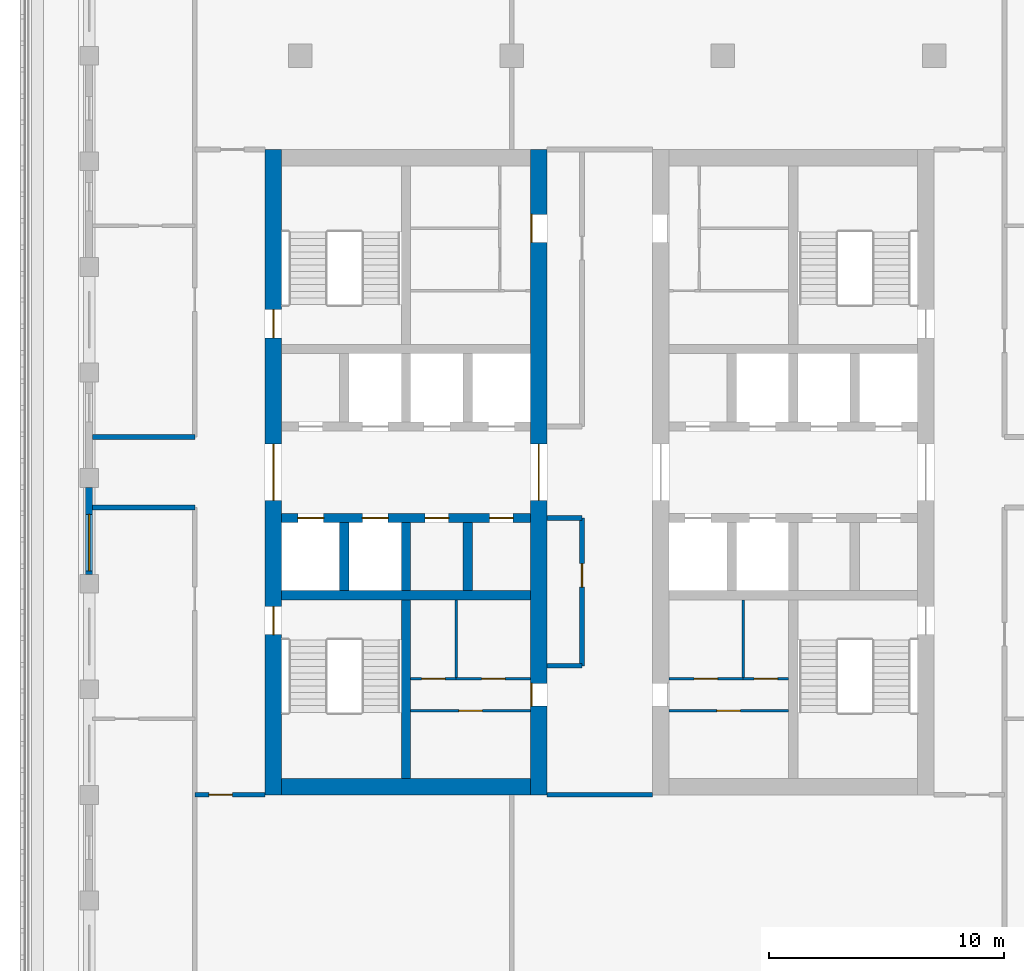
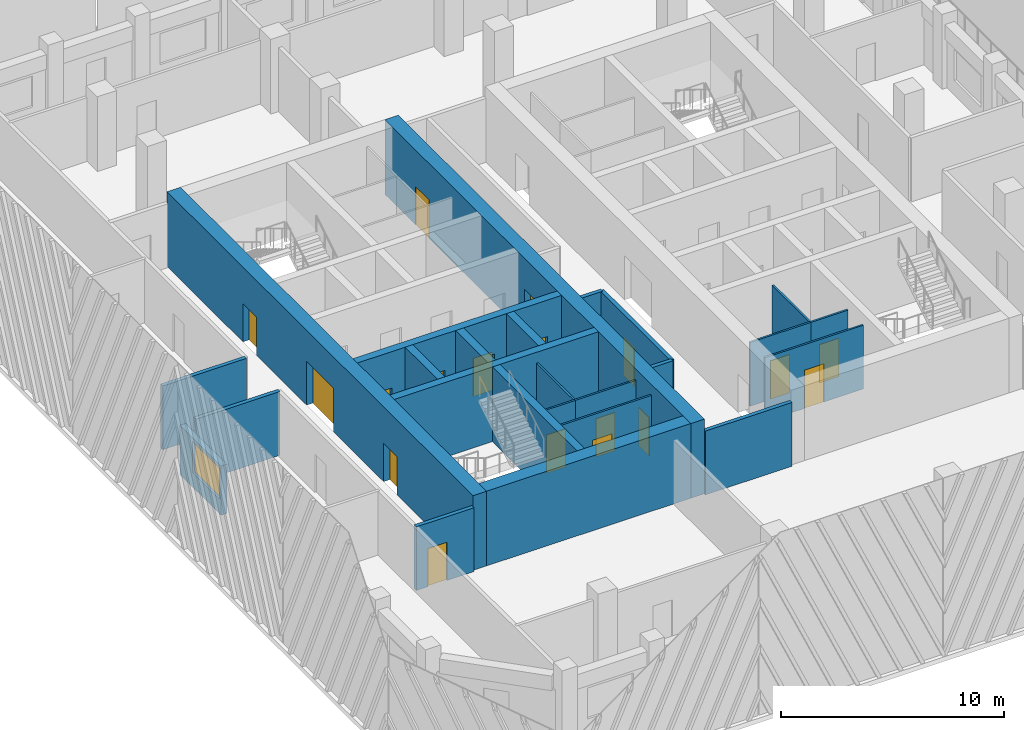
# One storey, part 3 of 17: 25 walls, 18 doors, 1 window, 19 openings.
"""IFC4 building model written with IfcOpenShell, lengths in metres."""

from ifc_helpers import new_model, si_unit, direction, frame, frame_2d, origin, place, context, subcontext, project, spatial, rectangle, extrude, material, layer, layer_set, type_object, element, fill, save


model = new_model("IFC4")

# Units and contexts
model_context = context("Model", 3, precision=1e-05, world=origin(), true_north=direction((0.0, 1.0)))
body_context = subcontext(model_context, "Body", "Model", "MODEL_VIEW")
ifc_project = project(units=[si_unit("LENGTHUNIT", "METRE"), si_unit("AREAUNIT", "SQUARE_METRE"), si_unit("VOLUMEUNIT", "CUBIC_METRE"), si_unit("PLANEANGLEUNIT", "RADIAN"), si_unit("MASSUNIT", "GRAM", prefix="KILO")], contexts=[model_context])

# Site, building, storey
site_placement = place(None, origin())
site = spatial("IfcSite", under=ifc_project, at=site_placement, CompositionType="ELEMENT")
building_placement = place(site_placement, origin())
building = spatial("IfcBuilding", under=site, at=building_placement, Name="Corbel Stack Research Tower", CompositionType="ELEMENT")
storey_placement = place(building_placement, frame((0.0, 0.0, 256.199951171875)))
storey = spatial("IfcBuildingStorey", under=building, at=storey_placement, Name="L58", CompositionType="ELEMENT", Elevation=256.199951171875)

# Wall
ifc_material_1 = material(Name="Concrete C60/75", Category="concrete")
ifc_layer_1 = layer(ifc_material_1, 0.39990234375)
ifc_layer_set_1 = layer_set([ifc_layer_1], Name="Concrete C60/75")
wall_type_1 = type_object("IfcWallType", Name="CW-400-60", PredefinedType="SHEAR", material=ifc_layer_set_1)
wall_1_placement = place(storey_placement, frame((-9.800048828125, -0.5, 0.0), z_axis=(0.0, 0.0, 1.0), x_axis=(1.0, 0.0, 0.0)))
element("IfcWall", 1, at=wall_1_placement, inside=storey, type_object=wall_type_1, Name="West core wall, south row back L58", PredefinedType="SHEAR", context=body_context, shape_type="SweptSolid", body=[
    extrude(rectangle(XDim=10.60009765625, YDim=0.39990234375, at=frame_2d((5.300048828125, 0.0))), origin(), (0.0, 0.0, 1.0), 4.10009765625),
])

# Wall, openings, doors
wall_2_placement = place(storey_placement, frame((-9.800048828125, 2.800048828125, 0.0), z_axis=(0.0, 0.0, 1.0), x_axis=(1.0, 0.0, 0.0)))
wall_2 = element("IfcWall", 2, at=wall_2_placement, inside=storey, type_object=wall_type_1, Name="West core wall, lobby south L58", PredefinedType="SHEAR", context=body_context, shape_type="SweptSolid", body=[
    extrude(rectangle(XDim=10.60009765625, YDim=0.39990234375, at=frame_2d((5.300048828125, 0.0))), origin(), (0.0, 0.0, 1.0), 4.10009765625),
])
opening_1_placement = place(wall_2_placement, frame((0.6875, 0.0, 0.0)))
opening_1 = element("IfcOpeningElement", 3, at=opening_1_placement, cuts=wall_2, Name="Opening LD-FS1", PredefinedType="OPENING", context=body_context, shape_type="SweptSolid", body=[
    extrude(rectangle(XDim=1.10009765625, YDim=2.10009765625, at=frame_2d((0.550048828125, 1.050048828125))), frame((0.0, 0.2099609375, 0.0), z_axis=(0.0, -1.0, 0.0), x_axis=(1.0, 0.0, 0.0)), (0.0, 0.0, 1.0), 0.419921875),
])
opening_2_placement = place(wall_2_placement, frame((3.4375, 0.0, 0.0)))
opening_2 = element("IfcOpeningElement", 4, at=opening_2_placement, cuts=wall_2, Name="Opening LD-GL1", PredefinedType="OPENING", context=body_context, shape_type="SweptSolid", body=[
    extrude(rectangle(XDim=1.10009765625, YDim=2.10009765625, at=frame_2d((0.550048828125, 1.050048828125))), frame((0.0, 0.2099609375, 0.0), z_axis=(0.0, -1.0, 0.0), x_axis=(1.0, 0.0, 0.0)), (0.0, 0.0, 1.0), 0.419921875),
])
opening_3_placement = place(wall_2_placement, frame((6.112548828125, 0.0, 0.0)))
opening_3 = element("IfcOpeningElement", 5, at=opening_3_placement, cuts=wall_2, Name="Opening CR-W24-S3", PredefinedType="OPENING", context=body_context, shape_type="SweptSolid", body=[
    extrude(rectangle(XDim=1.0, YDim=2.10009765625, at=frame_2d((0.5, 1.050048828125))), frame((0.0, 0.2099609375, 0.0), z_axis=(0.0, -1.0, 0.0), x_axis=(1.0, 0.0, 0.0)), (0.0, 0.0, 1.0), 0.419921875),
])
opening_4_placement = place(wall_2_placement, frame((8.862548828125, 0.0, 0.0)))
opening_4 = element("IfcOpeningElement", 6, at=opening_4_placement, cuts=wall_2, Name="Opening CR-W24-S4", PredefinedType="OPENING", context=body_context, shape_type="SweptSolid", body=[
    extrude(rectangle(XDim=1.0, YDim=2.10009765625, at=frame_2d((0.5, 1.050048828125))), frame((0.0, 0.2099609375, 0.0), z_axis=(0.0, -1.0, 0.0), x_axis=(1.0, 0.0, 0.0)), (0.0, 0.0, 1.0), 0.419921875),
])
ifc_material_2 = material(Name="Stainless steel landing door", Category="steel")
door_type_1 = type_object("IfcDoorType", Name="Lift landing door 1100 x 2100", OperationType="DOUBLE_DOOR_SLIDING", PredefinedType="DOOR", material=ifc_material_2)
door_1_placement = place(opening_1_placement, origin())
door_1 = element("IfcDoor", 7, at=door_1_placement, inside=storey, type_object=door_type_1, Name="Landing door FS1", OperationType="DOUBLE_DOOR_SLIDING", OverallHeight=2.10009765625, OverallWidth=1.10009765625, PredefinedType="DOOR", context=body_context, shape_type="SweptSolid", body=[
    extrude(rectangle(XDim=1.10009765625, YDim=2.10009765625, at=frame_2d((0.550048828125, 1.050048828125))), frame((0.0, 0.02490234375, 0.0), z_axis=(0.0, -1.0, 0.0), x_axis=(1.0, 0.0, 0.0)), (0.0, 0.0, 1.0), 0.050048828125),
])
fill(opening_1, door_1)
door_2_placement = place(opening_2_placement, origin())
door_2 = element("IfcDoor", 8, at=door_2_placement, inside=storey, type_object=door_type_1, Name="Landing door GL1", OperationType="DOUBLE_DOOR_SLIDING", OverallHeight=2.10009765625, OverallWidth=1.10009765625, PredefinedType="DOOR", context=body_context, shape_type="SweptSolid", body=[
    extrude(rectangle(XDim=1.10009765625, YDim=2.10009765625, at=frame_2d((0.550048828125, 1.050048828125))), frame((0.0, 0.02490234375, 0.0), z_axis=(0.0, -1.0, 0.0), x_axis=(1.0, 0.0, 0.0)), (0.0, 0.0, 1.0), 0.050048828125),
])
fill(opening_2, door_2)
ifc_material_3 = material(Name="Painted steel door", Category="steel")
door_type_2 = type_object("IfcDoorType", Name="Service door 1000 x 2100 FD60 left hand", OperationType="SINGLE_SWING_LEFT", PredefinedType="DOOR", material=ifc_material_3)
door_3_placement = place(opening_3_placement, origin())
door_3 = element("IfcDoor", 9, at=door_3_placement, inside=storey, type_object=door_type_2, Name="Vending bay door W core", OperationType="SINGLE_SWING_LEFT", OverallHeight=2.10009765625, OverallWidth=1.0, PredefinedType="DOOR", context=body_context, shape_type="SweptSolid", body=[
    extrude(rectangle(XDim=1.0, YDim=2.10009765625, at=frame_2d((0.5, 1.050048828125))), frame((0.0, 0.02490234375, 0.0), z_axis=(0.0, -1.0, 0.0), x_axis=(1.0, 0.0, 0.0)), (0.0, 0.0, 1.0), 0.050048828125),
])
fill(opening_3, door_3)
ifc_material_4 = material(Name="Painted steel door", Category="steel")
door_type_3 = type_object("IfcDoorType", Name="Service door 1000 x 2100 FD60 right hand", OperationType="SINGLE_SWING_RIGHT", PredefinedType="DOOR", material=ifc_material_4)
door_4_placement = place(opening_4_placement, origin())
door_4 = element("IfcDoor", 10, at=door_4_placement, inside=storey, type_object=door_type_3, Name="Mechanical room door W core", OperationType="SINGLE_SWING_RIGHT", OverallHeight=2.10009765625, OverallWidth=1.0, PredefinedType="DOOR", context=body_context, shape_type="SweptSolid", body=[
    extrude(rectangle(XDim=1.0, YDim=2.10009765625, at=frame_2d((0.5, 1.050048828125))), frame((0.0, 0.02490234375, 0.0), z_axis=(0.0, -1.0, 0.0), x_axis=(1.0, 0.0, 0.0)), (0.0, 0.0, 1.0), 0.050048828125),
])
fill(opening_4, door_4)

# Walls
for number, where, z_axis, x_axis, name in (
    (11, (-7.125, -0.300048828125, 0.0), (0.0, 0.0, 1.0), (0.0, 1.0, 0.0), "West core wall, south shaft 1 L58"),
    (12, (-4.5, -0.300048828125, 0.0), (0.0, 0.0, 1.0), (0.0, 1.0, 0.0), "West core wall, south shaft 2 L58"),
    (13, (-1.875, -0.300048828125, 0.0), (0.0, 0.0, 1.0), (0.0, 1.0, 0.0), "West core wall, south shaft 3 L58"),
):
    element("IfcWall", number, at=place(storey_placement, frame(where, z_axis=z_axis, x_axis=x_axis)), inside=storey, type_object=wall_type_1, Name=name, PredefinedType="SHEAR", context=body_context, shape_type="SweptSolid", body=[
        extrude(rectangle(XDim=2.900146484375, YDim=0.39990234375, at=frame_2d((1.4501953125, 0.0))), origin(), (0.0, 0.0, 1.0), 4.10009765625),
    ])
wall_3_placement = place(storey_placement, frame((-4.5, -8.300048828125, 0.0), z_axis=(0.0, 0.0, 1.0), x_axis=(0.0, 1.0, 0.0)))
element("IfcWall", 14, at=wall_3_placement, inside=storey, type_object=wall_type_1, Name="West core wall, south stair and WC L58", PredefinedType="SHEAR", context=body_context, shape_type="SweptSolid", body=[
    extrude(rectangle(XDim=7.60009765625, YDim=0.39990234375, at=frame_2d((3.800048828125, 0.0))), origin(), (0.0, 0.0, 1.0), 4.10009765625),
])

# Wall, openings, doors
ifc_material_5 = material(Name="Concrete C60/75", Category="concrete")
ifc_layer_2 = layer(ifc_material_5, 0.699951171875)
ifc_layer_set_2 = layer_set([ifc_layer_2], Name="Concrete C60/75")
wall_type_2 = type_object("IfcWallType", Name="CW-700-60", PredefinedType="SHEAR", material=ifc_layer_set_2)
wall_4_placement = place(storey_placement, frame((-10.14990234375, -9.0, 0.0), z_axis=(0.0, 0.0, 1.0), x_axis=(0.0, 1.0, 0.0)))
wall_4 = element("IfcWall", 15, at=wall_4_placement, inside=storey, type_object=wall_type_2, Name="West core wall, west face L58", PredefinedType="SHEAR", context=body_context, shape_type="SweptSolid", body=[
    extrude(rectangle(XDim=27.5, YDim=0.699951171875, at=frame_2d((13.75, 0.0))), origin(), (0.0, 0.0, 1.0), 4.10009765625),
])
opening_5_placement = place(wall_4_placement, frame((12.550048828125, 0.0, 0.0)))
opening_5 = element("IfcOpeningElement", 16, at=opening_5_placement, cuts=wall_4, Name="Opening CD-W-W", PredefinedType="OPENING", context=body_context, shape_type="SweptSolid", body=[
    extrude(rectangle(XDim=2.39990234375, YDim=2.39990234375, at=frame_2d((1.199951171875, 1.199951171875))), frame((0.0, 0.35986328125, 0.0), z_axis=(0.0, -1.0, 0.0), x_axis=(1.0, 0.0, 0.0)), (0.0, 0.0, 1.0), 0.719970703125),
])
opening_6_placement = place(wall_4_placement, frame((6.824951171875, 0.0, 0.0)))
opening_6 = element("IfcOpeningElement", 17, at=opening_6_placement, cuts=wall_4, Name="Opening SD-ST-W1", PredefinedType="OPENING", context=body_context, shape_type="SweptSolid", body=[
    extrude(rectangle(XDim=1.199951171875, YDim=2.10009765625, at=frame_2d((0.60009765625, 1.050048828125))), frame((0.0, 0.35986328125, 0.0), z_axis=(0.0, -1.0, 0.0), x_axis=(1.0, 0.0, 0.0)), (0.0, 0.0, 1.0), 0.719970703125),
])
opening_7_placement = place(wall_4_placement, frame((19.47509765625, 0.0, 0.0)))
opening_7 = element("IfcOpeningElement", 18, at=opening_7_placement, cuts=wall_4, Name="Opening SD-ST-W2", PredefinedType="OPENING", context=body_context, shape_type="SweptSolid", body=[
    extrude(rectangle(XDim=1.199951171875, YDim=2.10009765625, at=frame_2d((0.60009765625, 1.050048828125))), frame((0.0, 0.35986328125, 0.0), z_axis=(0.0, -1.0, 0.0), x_axis=(1.0, 0.0, 0.0)), (0.0, 0.0, 1.0), 0.719970703125),
])
ifc_material_6 = material(Name="Painted steel fire door", Category="steel")
door_type_4 = type_object("IfcDoorType", Name="Lobby door pair 2400 x 2400 FD30S", OperationType="DOUBLE_DOOR_DOUBLE_SWING", PredefinedType="DOOR", material=ifc_material_6)
door_5_placement = place(opening_5_placement, origin())
door_5 = element("IfcDoor", 19, at=door_5_placement, inside=storey, type_object=door_type_4, Name="Lift lobby door W core W", OperationType="DOUBLE_DOOR_DOUBLE_SWING", OverallHeight=2.39990234375, OverallWidth=2.39990234375, PredefinedType="DOOR", context=body_context, shape_type="SweptSolid", body=[
    extrude(rectangle(XDim=2.39990234375, YDim=2.39990234375, at=frame_2d((1.199951171875, 1.199951171875))), frame((0.0, 0.02490234375, 0.0), z_axis=(0.0, -1.0, 0.0), x_axis=(1.0, 0.0, 0.0)), (0.0, 0.0, 1.0), 0.050048828125),
])
fill(opening_5, door_5)
ifc_material_7 = material(Name="Painted steel fire door", Category="steel")
door_type_5 = type_object("IfcDoorType", Name="Stair door 1200 x 2100 FD90 left hand", OperationType="SINGLE_SWING_LEFT", PredefinedType="DOOR", material=ifc_material_7)
door_6_placement = place(opening_6_placement, origin())
door_6 = element("IfcDoor", 20, at=door_6_placement, inside=storey, type_object=door_type_5, Name="Stair door ST-W1", OperationType="SINGLE_SWING_LEFT", OverallHeight=2.10009765625, OverallWidth=1.199951171875, PredefinedType="DOOR", context=body_context, shape_type="SweptSolid", body=[
    extrude(rectangle(XDim=1.199951171875, YDim=2.10009765625, at=frame_2d((0.60009765625, 1.050048828125))), frame((0.0, 0.02490234375, 0.0), z_axis=(0.0, -1.0, 0.0), x_axis=(1.0, 0.0, 0.0)), (0.0, 0.0, 1.0), 0.050048828125),
])
fill(opening_6, door_6)
door_7_placement = place(opening_7_placement, origin())
door_7 = element("IfcDoor", 21, at=door_7_placement, inside=storey, type_object=door_type_5, Name="Stair door ST-W2", OperationType="SINGLE_SWING_LEFT", OverallHeight=2.10009765625, OverallWidth=1.199951171875, PredefinedType="DOOR", context=body_context, shape_type="SweptSolid", body=[
    extrude(rectangle(XDim=1.199951171875, YDim=2.10009765625, at=frame_2d((0.60009765625, 1.050048828125))), frame((0.0, 0.02490234375, 0.0), z_axis=(0.0, -1.0, 0.0), x_axis=(1.0, 0.0, 0.0)), (0.0, 0.0, 1.0), 0.050048828125),
])
fill(opening_7, door_7)

wall_5_placement = place(storey_placement, frame((1.14990234375, -9.0, 0.0), z_axis=(0.0, 0.0, 1.0), x_axis=(0.0, 1.0, 0.0)))
wall_5 = element("IfcWall", 22, at=wall_5_placement, inside=storey, type_object=wall_type_2, Name="West core wall, east face L58", PredefinedType="SHEAR", context=body_context, shape_type="SweptSolid", body=[
    extrude(rectangle(XDim=27.5, YDim=0.699951171875, at=frame_2d((13.75, 0.0))), origin(), (0.0, 0.0, 1.0), 4.10009765625),
])
opening_8_placement = place(wall_5_placement, frame((12.550048828125, 0.0, 0.0)))
opening_8 = element("IfcOpeningElement", 23, at=opening_8_placement, cuts=wall_5, Name="Opening CD-W-E", PredefinedType="OPENING", context=body_context, shape_type="SweptSolid", body=[
    extrude(rectangle(XDim=2.39990234375, YDim=2.39990234375, at=frame_2d((1.199951171875, 1.199951171875))), frame((0.0, 0.35986328125, 0.0), z_axis=(0.0, -1.0, 0.0), x_axis=(1.0, 0.0, 0.0)), (0.0, 0.0, 1.0), 0.719970703125),
])
opening_9_placement = place(wall_5_placement, frame((3.7880859375, 0.0, 0.0)))
opening_9 = element("IfcOpeningElement", 24, at=opening_9_placement, cuts=wall_5, Name="Opening CR-W24-W1-968", PredefinedType="OPENING", context=body_context, shape_type="SweptSolid", body=[
    extrude(rectangle(XDim=0.968017578125, YDim=2.10009765625, at=frame_2d((0.48388671875, 1.050048828125))), frame((0.0, 0.35986328125, 0.0), z_axis=(0.0, -1.0, 0.0), x_axis=(1.0, 0.0, 0.0)), (0.0, 0.0, 1.0), 0.719970703125),
])
opening_10_placement = place(wall_5_placement, frame((23.5400390625, 0.0, 0.0)))
opening_10 = element("IfcOpeningElement", 25, at=opening_10_placement, cuts=wall_5, Name="Opening CR-W24-R2-1200", PredefinedType="OPENING", context=body_context, shape_type="SweptSolid", body=[
    extrude(rectangle(XDim=1.199951171875, YDim=2.10009765625, at=frame_2d((0.60009765625, 1.050048828125))), frame((0.0, 0.35986328125, 0.0), z_axis=(0.0, -1.0, 0.0), x_axis=(1.0, 0.0, 0.0)), (0.0, 0.0, 1.0), 0.719970703125),
])
door_8_placement = place(opening_8_placement, origin())
door_8 = element("IfcDoor", 26, at=door_8_placement, inside=storey, type_object=door_type_4, Name="Lift lobby door W core E", OperationType="DOUBLE_DOOR_DOUBLE_SWING", OverallHeight=2.39990234375, OverallWidth=2.39990234375, PredefinedType="DOOR", context=body_context, shape_type="SweptSolid", body=[
    extrude(rectangle(XDim=2.39990234375, YDim=2.39990234375, at=frame_2d((1.199951171875, 1.199951171875))), frame((0.0, 0.02490234375, 0.0), z_axis=(0.0, -1.0, 0.0), x_axis=(1.0, 0.0, 0.0)), (0.0, 0.0, 1.0), 0.050048828125),
])
fill(opening_8, door_8)
ifc_material_8 = material(Name="Painted steel door", Category="steel")
door_type_6 = type_object("IfcDoorType", Name="Service door 1200 x 2100 FD30 right hand", OperationType="SINGLE_SWING_RIGHT", PredefinedType="DOOR", material=ifc_material_8)
door_9_placement = place(opening_10_placement, origin())
door_9 = element("IfcDoor", 27, at=door_9_placement, inside=storey, type_object=door_type_6, Name="Service passage door W core", OperationType="SINGLE_SWING_RIGHT", OverallHeight=2.10009765625, OverallWidth=1.199951171875, PredefinedType="DOOR", context=body_context, shape_type="SweptSolid", body=[
    extrude(rectangle(XDim=1.199951171875, YDim=2.10009765625, at=frame_2d((0.60009765625, 1.050048828125))), frame((0.0, 0.3251953125, 0.0), z_axis=(0.0, -1.0, 0.0), x_axis=(1.0, 0.0, 0.0)), (0.0, 0.0, 1.0), 0.050048828125),
])
fill(opening_10, door_9)
ifc_material_9 = material(Name="Painted timber door", Category="wood")
door_type_7 = type_object("IfcDoorType", Name="WC door 968 x 2100 left hand", OperationType="SINGLE_SWING_LEFT", PredefinedType="DOOR", material=ifc_material_9)
door_10_placement = place(opening_9_placement, origin())
door_10 = element("IfcDoor", 28, at=door_10_placement, inside=storey, type_object=door_type_7, Name="WC lobby door W core", OperationType="SINGLE_SWING_LEFT", OverallHeight=2.10009765625, OverallWidth=0.968017578125, PredefinedType="DOOR", context=body_context, shape_type="SweptSolid", body=[
    extrude(rectangle(XDim=0.968017578125, YDim=2.10009765625, at=frame_2d((0.48388671875, 1.050048828125))), frame((0.0, 0.3251953125, 0.0), z_axis=(0.0, -1.0, 0.0), x_axis=(1.0, 0.0, 0.0)), (0.0, 0.0, 1.0), 0.050048828125),
])
fill(opening_9, door_10)

# Wall
wall_6_placement = place(storey_placement, frame((-9.800048828125, -8.64990234375, 0.0), z_axis=(0.0, 0.0, 1.0), x_axis=(1.0, 0.0, 0.0)))
element("IfcWall", 29, at=wall_6_placement, inside=storey, type_object=wall_type_2, Name="West core wall, south end L58", PredefinedType="SHEAR", context=body_context, shape_type="SweptSolid", body=[
    extrude(rectangle(XDim=10.60009765625, YDim=0.699951171875, at=frame_2d((5.300048828125, 0.0))), origin(), (0.0, 0.0, 1.0), 4.10009765625),
])

# Wall, opening, door
ifc_material_10 = material(Name="Gypsum board")
ifc_layer_3 = layer(ifc_material_10, 0.10009765625)
ifc_layer_set_3 = layer_set([ifc_layer_3], Name="Gypsum board")
wall_type_3 = type_object("IfcWallType", Name="Core partition 100", PredefinedType="PARTITIONING", material=ifc_layer_set_3)
wall_7_placement = place(storey_placement, frame((-4.300048828125, -5.412109375, 0.0), z_axis=(0.0, 0.0, 1.0), x_axis=(1.0, 0.0, 0.0)))
wall_7 = element("IfcWall", 30, at=wall_7_placement, inside=storey, type_object=wall_type_3, Name="Core partition W", PredefinedType="PARTITIONING", context=body_context, shape_type="SweptSolid", body=[
    extrude(rectangle(XDim=5.10009765625, YDim=0.10009765625, at=frame_2d((2.550048828125, 0.0))), origin(), (0.0, 0.0, 1.0), 3.5),
])
opening_11_placement = place(wall_7_placement, frame((2.050048828125, 0.0, 0.0)))
opening_11 = element("IfcOpeningElement", 31, at=opening_11_placement, cuts=wall_7, Name="Opening CR-W24-W2-1000", PredefinedType="OPENING", context=body_context, shape_type="SweptSolid", body=[
    extrude(rectangle(XDim=1.0, YDim=2.10009765625, at=frame_2d((0.5, 1.050048828125))), frame((0.0, 0.06005859375, 0.0), z_axis=(0.0, -1.0, 0.0), x_axis=(1.0, 0.0, 0.0)), (0.0, 0.0, 1.0), 0.1201171875),
])
ifc_material_11 = material(Name="Painted timber door", Category="wood")
door_type_8 = type_object("IfcDoorType", Name="WC door 1000 x 2100 right hand", OperationType="SINGLE_SWING_RIGHT", PredefinedType="DOOR", material=ifc_material_11)
door_11_placement = place(opening_11_placement, origin())
door_11 = element("IfcDoor", 32, at=door_11_placement, inside=storey, type_object=door_type_8, Name="Men's WC door W core", OperationType="SINGLE_SWING_RIGHT", OverallHeight=2.10009765625, OverallWidth=1.0, PredefinedType="DOOR", context=body_context, shape_type="SweptSolid", body=[
    extrude(rectangle(XDim=1.0, YDim=2.10009765625, at=frame_2d((0.5, 1.050048828125))), frame((0.0, 0.02490234375, 0.0), z_axis=(0.0, -1.0, 0.0), x_axis=(1.0, 0.0, 0.0)), (0.0, 0.0, 1.0), 0.050048828125),
])
fill(opening_11, door_11)

wall_8_placement = place(storey_placement, frame((-2.362060546875, -4.0439453125, 0.0), z_axis=(0.0, 0.0, 1.0), x_axis=(1.0, 0.0, 0.0)))
wall_8 = element("IfcWall", 33, at=wall_8_placement, inside=storey, type_object=wall_type_3, Name="Core partition W", PredefinedType="PARTITIONING", context=body_context, shape_type="SweptSolid", body=[
    extrude(rectangle(XDim=3.162109375, YDim=0.10009765625, at=frame_2d((1.5810546875, 0.0))), origin(), (0.0, 0.0, 1.0), 3.5),
])
opening_12_placement = place(wall_8_placement, frame((1.0810546875, 0.0, 0.0)))
opening_12 = element("IfcOpeningElement", 34, at=opening_12_placement, cuts=wall_8, Name="Opening CR-W24-W3-1000", PredefinedType="OPENING", context=body_context, shape_type="SweptSolid", body=[
    extrude(rectangle(XDim=1.0, YDim=2.10009765625, at=frame_2d((0.5, 1.050048828125))), frame((0.0, 0.06005859375, 0.0), z_axis=(0.0, -1.0, 0.0), x_axis=(1.0, 0.0, 0.0)), (0.0, 0.0, 1.0), 0.1201171875),
])
ifc_material_12 = material(Name="Painted timber door", Category="wood")
door_type_9 = type_object("IfcDoorType", Name="WC door 1000 x 2100 left hand", OperationType="SINGLE_SWING_LEFT", PredefinedType="DOOR", material=ifc_material_12)
door_12_placement = place(opening_12_placement, origin())
door_12 = element("IfcDoor", 35, at=door_12_placement, inside=storey, type_object=door_type_9, Name="Women's WC door W core", OperationType="SINGLE_SWING_LEFT", OverallHeight=2.10009765625, OverallWidth=1.0, PredefinedType="DOOR", context=body_context, shape_type="SweptSolid", body=[
    extrude(rectangle(XDim=1.0, YDim=2.10009765625, at=frame_2d((0.5, 1.050048828125))), frame((0.0, 0.02490234375, 0.0), z_axis=(0.0, -1.0, 0.0), x_axis=(1.0, 0.0, 0.0)), (0.0, 0.0, 1.0), 0.050048828125),
])
fill(opening_12, door_12)

wall_9_placement = place(storey_placement, frame((-4.300048828125, -4.0439453125, 0.0), z_axis=(0.0, 0.0, 1.0), x_axis=(1.0, 0.0, 0.0)))
wall_9 = element("IfcWall", 36, at=wall_9_placement, inside=storey, type_object=wall_type_3, Name="Core partition W", PredefinedType="PARTITIONING", context=body_context, shape_type="SweptSolid", body=[
    extrude(rectangle(XDim=1.93798828125, YDim=0.10009765625, at=frame_2d((0.968994140625, 0.0))), origin(), (0.0, 0.0, 1.0), 3.5),
])
opening_13_placement = place(wall_9_placement, frame((0.468994140625, 0.0, 0.0)))
opening_13 = element("IfcOpeningElement", 37, at=opening_13_placement, cuts=wall_9, Name="Opening CR-W24-W4-1000", PredefinedType="OPENING", context=body_context, shape_type="SweptSolid", body=[
    extrude(rectangle(XDim=1.0, YDim=2.10009765625, at=frame_2d((0.5, 1.050048828125))), frame((0.0, 0.06005859375, 0.0), z_axis=(0.0, -1.0, 0.0), x_axis=(1.0, 0.0, 0.0)), (0.0, 0.0, 1.0), 0.1201171875),
])
door_13_placement = place(opening_13_placement, origin())
door_13 = element("IfcDoor", 38, at=door_13_placement, inside=storey, type_object=door_type_8, Name="Accessible WC door W core", OperationType="SINGLE_SWING_RIGHT", OverallHeight=2.10009765625, OverallWidth=1.0, PredefinedType="DOOR", context=body_context, shape_type="SweptSolid", body=[
    extrude(rectangle(XDim=1.0, YDim=2.10009765625, at=frame_2d((0.5, 1.050048828125))), frame((0.0, 0.02490234375, 0.0), z_axis=(0.0, -1.0, 0.0), x_axis=(1.0, 0.0, 0.0)), (0.0, 0.0, 1.0), 0.050048828125),
])
fill(opening_13, door_13)

# Wall
wall_10_placement = place(storey_placement, frame((-2.362060546875, -4.0439453125, 0.0), z_axis=(0.0, 0.0, 1.0), x_axis=(0.0, 1.0, 0.0)))
element("IfcWall", 39, at=wall_10_placement, inside=storey, type_object=wall_type_3, Name="Core partition W", PredefinedType="PARTITIONING", context=body_context, shape_type="SweptSolid", body=[
    extrude(rectangle(XDim=3.343994140625, YDim=0.10009765625, at=frame_2d((1.671875, 0.0))), origin(), (0.0, 0.0, 1.0), 3.5),
])

# Wall, opening, door
wall_11_placement = place(storey_placement, frame((6.699951171875, -5.412109375, 0.0), z_axis=(0.0, 0.0, 1.0), x_axis=(1.0, 0.0, 0.0)))
wall_11 = element("IfcWall", 40, at=wall_11_placement, inside=storey, type_object=wall_type_3, Name="Core partition E", PredefinedType="PARTITIONING", context=body_context, shape_type="SweptSolid", body=[
    extrude(rectangle(XDim=5.10009765625, YDim=0.10009765625, at=frame_2d((2.550048828125, 0.0))), origin(), (0.0, 0.0, 1.0), 3.5),
])
opening_14_placement = place(wall_11_placement, frame((2.050048828125, 0.0, 0.0)))
opening_14 = element("IfcOpeningElement", 41, at=opening_14_placement, cuts=wall_11, Name="Opening CR-E24-W2-1000", PredefinedType="OPENING", context=body_context, shape_type="SweptSolid", body=[
    extrude(rectangle(XDim=1.0, YDim=2.10009765625, at=frame_2d((0.5, 1.050048828125))), frame((0.0, 0.06005859375, 0.0), z_axis=(0.0, -1.0, 0.0), x_axis=(1.0, 0.0, 0.0)), (0.0, 0.0, 1.0), 0.1201171875),
])
door_14_placement = place(opening_14_placement, origin())
door_14 = element("IfcDoor", 42, at=door_14_placement, inside=storey, type_object=door_type_9, Name="Men's WC door E core", OperationType="SINGLE_SWING_LEFT", OverallHeight=2.10009765625, OverallWidth=1.0, PredefinedType="DOOR", context=body_context, shape_type="SweptSolid", body=[
    extrude(rectangle(XDim=1.0, YDim=2.10009765625, at=frame_2d((0.5, 1.050048828125))), frame((0.0, 0.02490234375, 0.0), z_axis=(0.0, -1.0, 0.0), x_axis=(1.0, 0.0, 0.0)), (0.0, 0.0, 1.0), 0.050048828125),
])
fill(opening_14, door_14)

wall_12_placement = place(storey_placement, frame((6.699951171875, -4.0439453125, 0.0), z_axis=(0.0, 0.0, 1.0), x_axis=(1.0, 0.0, 0.0)))
wall_12 = element("IfcWall", 43, at=wall_12_placement, inside=storey, type_object=wall_type_3, Name="Core partition E", PredefinedType="PARTITIONING", context=body_context, shape_type="SweptSolid", body=[
    extrude(rectangle(XDim=3.162109375, YDim=0.10009765625, at=frame_2d((1.5810546875, 0.0))), origin(), (0.0, 0.0, 1.0), 3.5),
])
opening_15_placement = place(wall_12_placement, frame((1.0810546875, 0.0, 0.0)))
opening_15 = element("IfcOpeningElement", 44, at=opening_15_placement, cuts=wall_12, Name="Opening CR-E24-W3-1000", PredefinedType="OPENING", context=body_context, shape_type="SweptSolid", body=[
    extrude(rectangle(XDim=1.0, YDim=2.10009765625, at=frame_2d((0.5, 1.050048828125))), frame((0.0, 0.06005859375, 0.0), z_axis=(0.0, -1.0, 0.0), x_axis=(1.0, 0.0, 0.0)), (0.0, 0.0, 1.0), 0.1201171875),
])
door_15_placement = place(opening_15_placement, origin())
door_15 = element("IfcDoor", 45, at=door_15_placement, inside=storey, type_object=door_type_8, Name="Women's WC door E core", OperationType="SINGLE_SWING_RIGHT", OverallHeight=2.10009765625, OverallWidth=1.0, PredefinedType="DOOR", context=body_context, shape_type="SweptSolid", body=[
    extrude(rectangle(XDim=1.0, YDim=2.10009765625, at=frame_2d((0.5, 1.050048828125))), frame((0.0, 0.02490234375, 0.0), z_axis=(0.0, -1.0, 0.0), x_axis=(1.0, 0.0, 0.0)), (0.0, 0.0, 1.0), 0.050048828125),
])
fill(opening_15, door_15)

wall_13_placement = place(storey_placement, frame((9.862060546875, -4.0439453125, 0.0), z_axis=(0.0, 0.0, 1.0), x_axis=(1.0, 0.0, 0.0)))
wall_13 = element("IfcWall", 46, at=wall_13_placement, inside=storey, type_object=wall_type_3, Name="Core partition E", PredefinedType="PARTITIONING", context=body_context, shape_type="SweptSolid", body=[
    extrude(rectangle(XDim=1.93798828125, YDim=0.10009765625, at=frame_2d((0.968994140625, 0.0))), origin(), (0.0, 0.0, 1.0), 3.5),
])
opening_16_placement = place(wall_13_placement, frame((0.468994140625, 0.0, 0.0)))
opening_16 = element("IfcOpeningElement", 47, at=opening_16_placement, cuts=wall_13, Name="Opening CR-E24-W4-1000", PredefinedType="OPENING", context=body_context, shape_type="SweptSolid", body=[
    extrude(rectangle(XDim=1.0, YDim=2.10009765625, at=frame_2d((0.5, 1.050048828125))), frame((0.0, 0.06005859375, 0.0), z_axis=(0.0, -1.0, 0.0), x_axis=(1.0, 0.0, 0.0)), (0.0, 0.0, 1.0), 0.1201171875),
])
door_16_placement = place(opening_16_placement, origin())
door_16 = element("IfcDoor", 48, at=door_16_placement, inside=storey, type_object=door_type_9, Name="Accessible WC door E core", OperationType="SINGLE_SWING_LEFT", OverallHeight=2.10009765625, OverallWidth=1.0, PredefinedType="DOOR", context=body_context, shape_type="SweptSolid", body=[
    extrude(rectangle(XDim=1.0, YDim=2.10009765625, at=frame_2d((0.5, 1.050048828125))), frame((0.0, 0.02490234375, 0.0), z_axis=(0.0, -1.0, 0.0), x_axis=(1.0, 0.0, 0.0)), (0.0, 0.0, 1.0), 0.050048828125),
])
fill(opening_16, door_16)

# Wall
wall_14_placement = place(storey_placement, frame((9.862060546875, -4.0439453125, 0.0), z_axis=(0.0, 0.0, 1.0), x_axis=(0.0, 1.0, 0.0)))
element("IfcWall", 49, at=wall_14_placement, inside=storey, type_object=wall_type_3, Name="Core partition E", PredefinedType="PARTITIONING", context=body_context, shape_type="SweptSolid", body=[
    extrude(rectangle(XDim=3.343994140625, YDim=0.10009765625, at=frame_2d((1.671875, 0.0))), origin(), (0.0, 0.0, 1.0), 3.5),
])

# Wall, opening, door
ifc_material_13 = material(Name="Fire-rated gypsum board partition on steel studs", Category="steel")
ifc_layer_4 = layer(ifc_material_13, 0.199951171875)
ifc_layer_set_4 = layer_set([ifc_layer_4], Name="Fire-rated gypsum board partition on steel studs")
wall_type_4 = type_object("IfcWallType", Name="Fire-rated partition 200 EI 60", PredefinedType="PARTITIONING", material=ifc_layer_set_4)
wall_15_placement = place(storey_placement, frame((3.0, -3.5, 0.0), z_axis=(0.0, 0.0, 1.0), x_axis=(0.0, 1.0, 0.0)))
wall_15 = element("IfcWall", 50, at=wall_15_placement, inside=storey, type_object=wall_type_4, Name="Partition L58-008", PredefinedType="PARTITIONING", context=body_context, shape_type="SweptSolid", body=[
    extrude(rectangle(XDim=6.300048828125, YDim=0.199951171875, at=frame_2d((3.14990234375, 0.0))), origin(), (0.0, 0.0, 1.0), 3.5),
])
opening_17_placement = place(wall_15_placement, frame((3.35009765625, 0.0, 0.0)))
opening_17 = element("IfcOpeningElement", 51, at=opening_17_placement, cuts=wall_15, Name="Opening B7V2-009", PredefinedType="OPENING", context=body_context, shape_type="SweptSolid", body=[
    extrude(rectangle(XDim=1.0, YDim=2.10009765625, at=frame_2d((0.5, 1.050048828125))), frame((0.0, 0.10986328125, 0.0), z_axis=(0.0, -1.0, 0.0), x_axis=(1.0, 0.0, 0.0)), (0.0, 0.0, 1.0), 0.219970703125),
])
ifc_material_14 = material(Name="Painted steel fire door", Category="steel")
door_type_10 = type_object("IfcDoorType", Name="Fire door FD30S 1000 x 2100", OperationType="NOTDEFINED", PredefinedType="DOOR", material=ifc_material_14)
door_17_placement = place(opening_17_placement, origin())
door_17 = element("IfcDoor", 52, at=door_17_placement, inside=storey, type_object=door_type_10, Name="Door B7V2-009", OperationType="SINGLE_SWING_RIGHT", OverallHeight=2.10009765625, OverallWidth=1.0, PredefinedType="DOOR", context=body_context, shape_type="SweptSolid", body=[
    extrude(rectangle(XDim=1.0, YDim=2.10009765625, at=frame_2d((0.5, 1.050048828125))), frame((0.0, 0.02490234375, 0.0), z_axis=(0.0, -1.0, 0.0), x_axis=(1.0, 0.0, 0.0)), (0.0, 0.0, 1.0), 0.050048828125),
])
fill(opening_17, door_17)

wall_16_placement = place(storey_placement, frame((-10.5, -9.0, 0.0), z_axis=(0.0, 0.0, 1.0), x_axis=(-1.0, 0.0, 0.0)))
wall_16 = element("IfcWall", 53, at=wall_16_placement, inside=storey, type_object=wall_type_4, Name="Partition L58-017", PredefinedType="PARTITIONING", context=body_context, shape_type="SweptSolid", body=[
    extrude(rectangle(XDim=3.0, YDim=0.199951171875, at=frame_2d((1.5, 0.0))), origin(), (0.0, 0.0, 1.0), 3.5),
])
opening_18_placement = place(wall_16_placement, frame((1.39990234375, 0.0, 0.0)))
opening_18 = element("IfcOpeningElement", 54, at=opening_18_placement, cuts=wall_16, Name="Opening B7V2-005", PredefinedType="OPENING", context=body_context, shape_type="SweptSolid", body=[
    extrude(rectangle(XDim=1.0, YDim=2.10009765625, at=frame_2d((0.5, 1.050048828125))), frame((0.0, 0.10986328125, 0.0), z_axis=(0.0, -1.0, 0.0), x_axis=(1.0, 0.0, 0.0)), (0.0, 0.0, 1.0), 0.219970703125),
])
door_18_placement = place(opening_18_placement, origin())
door_18 = element("IfcDoor", 55, at=door_18_placement, inside=storey, type_object=door_type_10, Name="Door B7V2-005", OperationType="SINGLE_SWING_RIGHT", OverallHeight=2.10009765625, OverallWidth=1.0, PredefinedType="DOOR", context=body_context, shape_type="SweptSolid", body=[
    extrude(rectangle(XDim=1.0, YDim=2.10009765625, at=frame_2d((0.5, 1.050048828125))), frame((0.0, 0.02490234375, 0.0), z_axis=(0.0, -1.0, 0.0), x_axis=(1.0, 0.0, 0.0)), (0.0, 0.0, 1.0), 0.050048828125),
])
fill(opening_18, door_18)

# Walls
wall_17_placement = place(storey_placement, frame((1.5, -9.0, 0.0), z_axis=(0.0, 0.0, 1.0), x_axis=(1.0, 0.0, 0.0)))
element("IfcWall", 56, at=wall_17_placement, inside=storey, type_object=wall_type_4, Name="Partition L58-018", PredefinedType="PARTITIONING", context=body_context, shape_type="SweptSolid", body=[
    extrude(rectangle(XDim=4.5, YDim=0.199951171875, at=frame_2d((2.25, 0.0))), origin(), (0.0, 0.0, 1.0), 3.5),
])
for number, where, z_axis, x_axis, name in (
    (57, (1.5, -3.5, 0.0), (0.0, 0.0, 1.0), (1.0, 0.0, 0.0), "Partition L58-022"),
    (58, (1.5, 2.800048828125, 0.0), (0.0, 0.0, 1.0), (1.0, 0.0, 0.0), "Partition L58-023"),
):
    element("IfcWall", number, at=place(storey_placement, frame(where, z_axis=z_axis, x_axis=x_axis)), inside=storey, type_object=wall_type_4, Name=name, PredefinedType="PARTITIONING", context=body_context, shape_type="SweptSolid", body=[
        extrude(rectangle(XDim=1.5, YDim=0.199951171875, at=frame_2d((0.75, 0.0))), origin(), (0.0, 0.0, 1.0), 3.5),
    ])
for number, where, z_axis, x_axis, name in (
    (59, (-17.85009765625, 3.25, 0.0), (0.0, 0.0, 1.0), (1.0, 0.0, 0.0), "Partition L58-024"),
    (60, (-17.85009765625, 6.25, 0.0), (0.0, 0.0, 1.0), (1.0, 0.0, 0.0), "Partition L58-026"),
):
    element("IfcWall", number, at=place(storey_placement, frame(where, z_axis=z_axis, x_axis=x_axis)), inside=storey, type_object=wall_type_4, Name=name, PredefinedType="PARTITIONING", context=body_context, shape_type="SweptSolid", body=[
        extrude(rectangle(XDim=4.35009765625, YDim=0.199951171875, at=frame_2d((2.175048828125, 0.0))), origin(), (0.0, 0.0, 1.0), 3.5),
    ])

# Wall, opening, window
ifc_material_15 = material(Name="Concrete C45/55", Category="concrete")
ifc_layer_5 = layer(ifc_material_15, 0.300048828125)
ifc_layer_set_5 = layer_set([ifc_layer_5], Name="Concrete C45/55")
wall_type_5 = type_object("IfcWallType", Name="Terracotta-faced concrete wall 300", PredefinedType="SOLIDWALL", material=ifc_layer_set_5)
wall_18_placement = place(storey_placement, frame((-18.0, 0.39990234375, 0.0), z_axis=(0.0, 0.0, 1.0), x_axis=(0.0, 1.0, 0.0)))
wall_18 = element("IfcWall", 61, at=wall_18_placement, inside=storey, type_object=wall_type_5, Name="Facade wall L58 W06", PredefinedType="SOLIDWALL", context=body_context, shape_type="SweptSolid", body=[
    extrude(rectangle(XDim=3.7001953125, YDim=0.300048828125, at=frame_2d((1.85009765625, 0.0))), origin(), (0.0, 0.0, 1.0), 2.699951171875),
])
opening_19_placement = place(wall_18_placement, frame((0.14990234375, 0.0, 0.800048828125)))
opening_19 = element("IfcOpeningElement", 62, at=opening_19_placement, cuts=wall_18, Name="Opening W1", PredefinedType="OPENING", context=body_context, shape_type="SweptSolid", body=[
    extrude(rectangle(XDim=2.39990234375, YDim=1.699951171875, at=frame_2d((1.199951171875, 0.85009765625))), frame((0.0, 0.159912109375, 0.0), z_axis=(0.0, -1.0, 0.0), x_axis=(1.0, 0.0, 0.0)), (0.0, 0.0, 1.0), 0.320068359375),
])
ifc_material_16 = material(Name="Aluminium frame, clear double glazing", Category="aluminium")
window_type = type_object("IfcWindowType", Name="Window W1 2400 x 1700", PartitioningType="SINGLE_PANEL", PredefinedType="WINDOW", material=ifc_material_16)
window_placement = place(opening_19_placement, origin())
window = element("IfcWindow", 63, at=window_placement, inside=storey, type_object=window_type, Name="Window W1 L58 W06", OverallHeight=1.699951171875, OverallWidth=2.39990234375, PartitioningType="SINGLE_PANEL", PredefinedType="WINDOW", context=body_context, shape_type="SweptSolid", body=[
    extrude(rectangle(XDim=2.39990234375, YDim=1.699951171875, at=frame_2d((1.199951171875, 0.85009765625))), frame((0.0, 0.030029296875, 0.0), z_axis=(0.0, -1.0, 0.0), x_axis=(1.0, 0.0, 0.0)), (0.0, 0.0, 1.0), 0.06005859375),
])
fill(opening_19, window)

save(model, "model.ifc")
